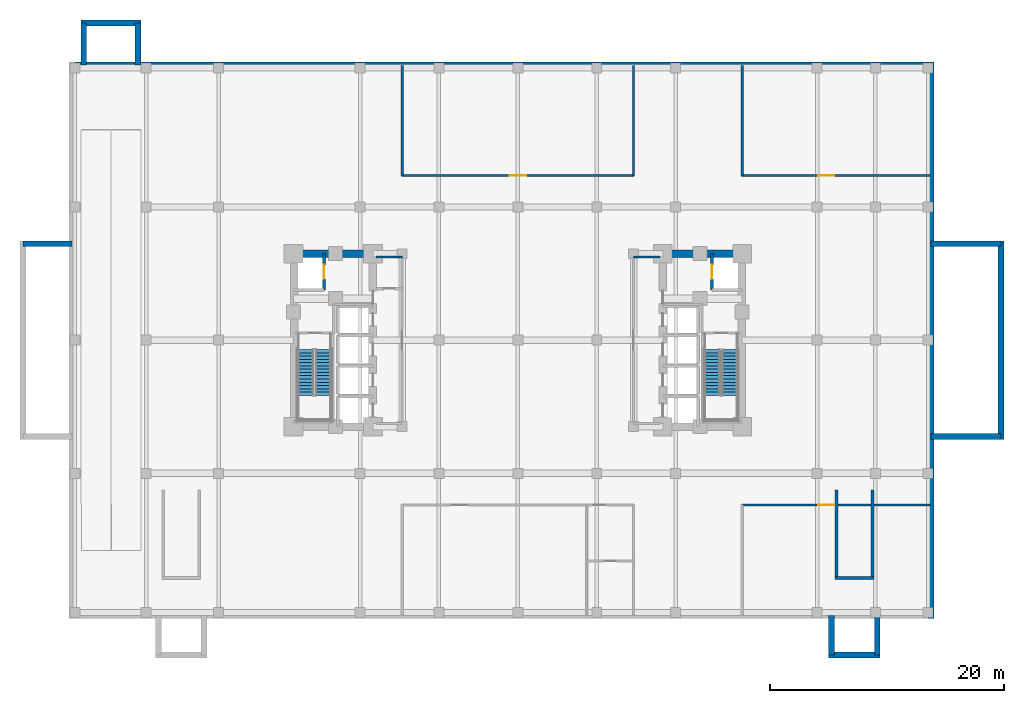
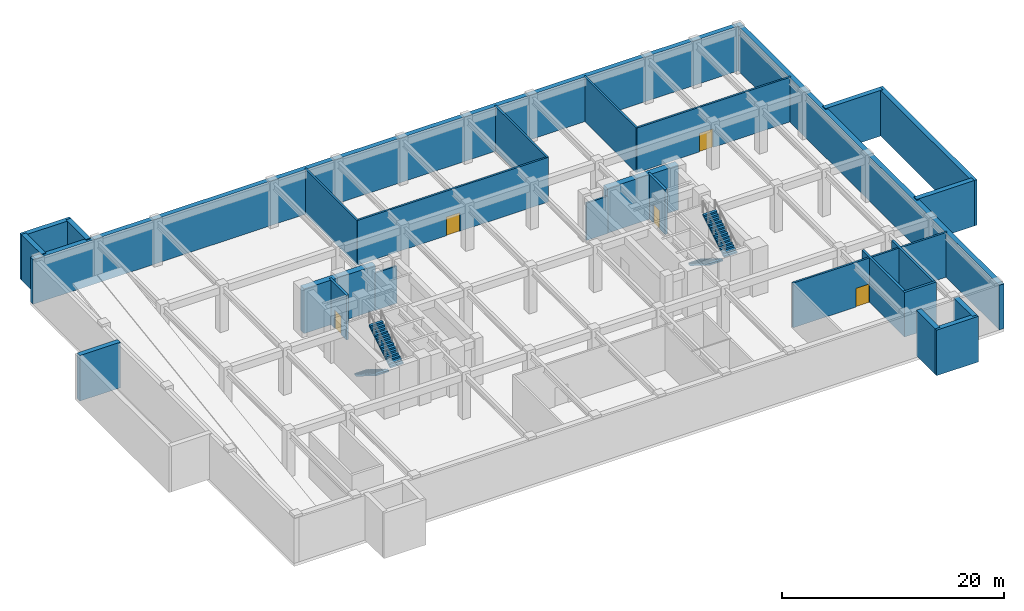
# One storey, part 5 of 7: 27 walls, 5 doors, 4 stair flights, 5 openings, 2 elements without a shape of their own.
"""IFC4 building model written with IfcOpenShell, lengths in metres."""

from ifc_helpers import new_model, si_unit, direction, frame, frame_2d, origin, place, context, subcontext, project, spatial, polyline, rectangle, outline, extrude, material, layer, layer_set, type_object, element, fill, aggregate, save


model = new_model("IFC4")

# Units and contexts
model_context = context("Model", 3, precision=1e-05, world=origin(), true_north=direction((0.0, 1.0)))
body_context = subcontext(model_context, "Body", "Model", "MODEL_VIEW")
ifc_project = project(units=[si_unit("LENGTHUNIT", "METRE"), si_unit("AREAUNIT", "SQUARE_METRE"), si_unit("VOLUMEUNIT", "CUBIC_METRE"), si_unit("PLANEANGLEUNIT", "RADIAN"), si_unit("MASSUNIT", "GRAM", prefix="KILO")], contexts=[model_context])

# Site, building, storey
site_placement = place(None, origin())
site = spatial("IfcSite", under=ifc_project, at=site_placement, CompositionType="ELEMENT")
building_placement = place(site_placement, origin())
building = spatial("IfcBuilding", under=site, at=building_placement, Name="Voryun Gate Residences", CompositionType="ELEMENT")
storey_placement = place(building_placement, frame((0.0, 0.0, -5.199951171875)))
storey = spatial("IfcBuildingStorey", under=building, at=storey_placement, Name="B01", CompositionType="ELEMENT", Elevation=-5.199951171875)

# Walls
ifc_material_1 = material(Name="Concrete C50/60", Category="concrete")
ifc_layer_1 = layer(ifc_material_1, 0.5, Name="CW_BSMT_RET_500")
ifc_layer_set_1 = layer_set([ifc_layer_1], Name="Concrete C50/60")
wall_type_1 = type_object("IfcWallType", Name="CW_BSMT_RET_500", PredefinedType="USERDEFINED", material=ifc_layer_set_1)
for number, where, z_axis, x_axis, name in (
    (1, (-37.14990234375, 23.550048828125, 0.0), (0.0, 0.0, 1.0), (0.0, 1.0, 0.0), "B01 Apron Foundation Wall SLB-PAV-VEH-APRON-L"),
    (2, (-32.5, 23.550048828125, 0.0), (0.0, 0.0, 1.0), (0.0, 1.0, 0.0), "B01 Apron Foundation Wall SLB-PAV-VEH-APRON-R"),
):
    element("IfcWall", number, at=place(storey_placement, frame(where, z_axis=z_axis, x_axis=x_axis)), inside=storey, type_object=wall_type_1, Name=name, ObjectType="RETAININGWALL", PredefinedType="USERDEFINED", context=body_context, shape_type="SweptSolid", body=[
        extrude(rectangle(XDim=3.599853515625, YDim=0.5, at=frame_2d((1.7998046875, 0.0))), origin(), (0.0, 0.0, 1.0), 5.02001953125),
    ])
wall_1_placement = place(storey_placement, frame((-37.39990234375, 27.14990234375, 0.0), z_axis=(0.0, 0.0, 1.0), x_axis=(1.0, 0.0, 0.0)))
element("IfcWall", 3, at=wall_1_placement, inside=storey, type_object=wall_type_1, Name="B01 Apron Foundation Wall SLB-PAV-VEH-APRON-O", ObjectType="RETAININGWALL", PredefinedType="USERDEFINED", context=body_context, shape_type="SweptSolid", body=[
    extrude(rectangle(XDim=5.14990234375, YDim=0.5, at=frame_2d((2.574951171875, 0.0))), origin(), (0.0, 0.0, 1.0), 5.02001953125),
])
for number, where, z_axis, x_axis, name in (
    (4, (26.85009765625, -26.949951171875, 0.0), (0.0, 0.0, 1.0), (0.0, 1.0, 0.0), "B01 Apron Foundation Wall SLB-PAV-EXIT-P2-L"),
    (5, (30.75, -26.949951171875, 0.0), (0.0, 0.0, 1.0), (0.0, 1.0, 0.0), "B01 Apron Foundation Wall SLB-PAV-EXIT-P2-R"),
):
    element("IfcWall", number, at=place(storey_placement, frame(where, z_axis=z_axis, x_axis=x_axis)), inside=storey, type_object=wall_type_1, Name=name, ObjectType="RETAININGWALL", PredefinedType="USERDEFINED", context=body_context, shape_type="SweptSolid", body=[
        extrude(rectangle(XDim=3.39990234375, YDim=0.5, at=frame_2d((1.699951171875, 0.0))), origin(), (0.0, 0.0, 1.0), 5.02001953125),
    ])
wall_2_placement = place(storey_placement, frame((26.60009765625, -26.949951171875, 0.0), z_axis=(0.0, 0.0, 1.0), x_axis=(1.0, 0.0, 0.0)))
element("IfcWall", 6, at=wall_2_placement, inside=storey, type_object=wall_type_1, Name="B01 Apron Foundation Wall SLB-PAV-EXIT-P2-O", ObjectType="RETAININGWALL", PredefinedType="USERDEFINED", context=body_context, shape_type="SweptSolid", body=[
    extrude(rectangle(XDim=4.39990234375, YDim=0.5, at=frame_2d((2.199951171875, 0.0))), origin(), (0.0, 0.0, 1.0), 5.02001953125),
])
wall_3_placement = place(storey_placement, frame((-42.35009765625, 8.25, 0.0), z_axis=(0.0, 0.0, 1.0), x_axis=(1.0, 0.0, 0.0)))
element("IfcWall", 7, at=wall_3_placement, inside=storey, type_object=wall_type_1, Name="B01 Plaza Foundation Wall SLB-PAV-WEST-PLAZA-N", ObjectType="RETAININGWALL", PredefinedType="USERDEFINED", context=body_context, shape_type="SweptSolid", body=[
    extrude(rectangle(XDim=4.2001953125, YDim=0.5, at=frame_2d((2.10009765625, 0.0))), origin(), (0.0, 0.0, 1.0), 5.02001953125),
])
for number, where, z_axis, x_axis, name in (
    (8, (35.35009765625, -8.25, 0.0), (0.0, 0.0, 1.0), (1.0, 0.0, 0.0), "B01 Plaza Foundation Wall SLB-PAV-EAST-PLAZA-S"),
    (9, (35.35009765625, 8.25, 0.0), (0.0, 0.0, 1.0), (1.0, 0.0, 0.0), "B01 Plaza Foundation Wall SLB-PAV-EAST-PLAZA-N"),
):
    element("IfcWall", number, at=place(storey_placement, frame(where, z_axis=z_axis, x_axis=x_axis)), inside=storey, type_object=wall_type_1, Name=name, ObjectType="RETAININGWALL", PredefinedType="USERDEFINED", context=body_context, shape_type="SweptSolid", body=[
        extrude(rectangle(XDim=6.0, YDim=0.5, at=frame_2d((3.0, 0.0))), origin(), (0.0, 0.0, 1.0), 5.02001953125),
    ])
wall_4_placement = place(storey_placement, frame((41.35009765625, -8.5, 0.0), z_axis=(0.0, 0.0, 1.0), x_axis=(0.0, 1.0, 0.0)))
element("IfcWall", 10, at=wall_4_placement, inside=storey, type_object=wall_type_1, Name="B01 Plaza Foundation Wall SLB-PAV-EAST-PLAZA-O", ObjectType="RETAININGWALL", PredefinedType="USERDEFINED", context=body_context, shape_type="SweptSolid", body=[
    extrude(rectangle(XDim=17.0, YDim=0.5, at=frame_2d((8.5, 0.0))), origin(), (0.0, 0.0, 1.0), 5.02001953125),
])
wall_5_placement = place(storey_placement, frame((-38.39990234375, 23.550048828125, 0.0), z_axis=(0.0, 0.0, 1.0), x_axis=(1.0, 0.0, 0.0)))
element("IfcWall", 11, at=wall_5_placement, inside=storey, type_object=wall_type_1, Name="B01 Perimeter Basement Retaining Wall WRET-B01-N", ObjectType="RETAININGWALL", PredefinedType="USERDEFINED", context=body_context, shape_type="SweptSolid", body=[
    extrude(rectangle(XDim=74.0, YDim=0.5, at=frame_2d((37.0, 0.0))), origin(), (0.0, 0.0, 1.0), 4.919921875),
])
wall_6_placement = place(storey_placement, frame((35.35009765625, -23.800048828125, 0.0), z_axis=(0.0, 0.0, 1.0), x_axis=(0.0, 1.0, 0.0)))
element("IfcWall", 12, at=wall_6_placement, inside=storey, type_object=wall_type_1, Name="B01 Perimeter Basement Retaining Wall WRET-B01-E", ObjectType="RETAININGWALL", PredefinedType="USERDEFINED", context=body_context, shape_type="SweptSolid", body=[
    extrude(rectangle(XDim=47.60009765625, YDim=0.5, at=frame_2d((23.800048828125, 0.0))), origin(), (0.0, 0.0, 1.0), 4.919921875),
])
ifc_material_2 = material(Name="Concrete C60/75", Category="concrete")
ifc_layer_2 = layer(ifc_material_2, 0.64990234375, Name="CW_CORE_650")
ifc_layer_set_2 = layer_set([ifc_layer_2], Name="Concrete C60/75")
wall_type_2 = type_object("IfcWallType", Name="CW_CORE_650", PredefinedType="SHEAR", material=ifc_layer_set_2)
for number, where, z_axis, x_axis, name in (
    (13, (-19.52490234375, 7.39990234375, 0.0), (0.0, 0.0, 1.0), (1.0, 0.0, 0.0), "B01 Core shear wall CW-B01-WN"),
    (14, (12.074951171875, 7.39990234375, 0.0), (0.0, 0.0, 1.0), (1.0, 0.0, 0.0), "B01 Core shear wall CW-B01-EN"),
):
    element("IfcWall", number, at=place(storey_placement, frame(where, z_axis=z_axis, x_axis=x_axis)), inside=storey, type_object=wall_type_2, Name=name, PredefinedType="SHEAR", context=body_context, shape_type="SweptSolid", body=[
        extrude(rectangle(XDim=7.449951171875, YDim=0.64990234375, at=frame_2d((3.72509765625, 0.0))), origin(), (0.0, 0.0, 1.0), 4.919921875),
    ])
ifc_material_3 = material(Name="Gypsum acoustic fireboard")
ifc_layer_3 = layer(ifc_material_3, 0.179931640625, Name="W_CORR_RATED_180")
ifc_layer_set_3 = layer_set([ifc_layer_3], Name="Gypsum acoustic fireboard")
wall_type_3 = type_object("IfcWallType", Name="W_CORR_RATED_180", PredefinedType="PARTITIONING", material=ifc_layer_set_3)
for number, where, z_axis, x_axis, name in (
    (15, (-12.14990234375, 7.1201171875, 0.0), (0.0, 0.0, 1.0), (1.0, 0.0, 0.0), "Partition wall WP-B01-PLBN-W"),
    (16, (9.8798828125, 7.1201171875, 0.0), (0.0, 0.0, 1.0), (1.0, 0.0, 0.0), "Partition wall WP-B01-PLBN-E"),
):
    element("IfcWall", number, at=place(storey_placement, frame(where, z_axis=z_axis, x_axis=x_axis)), inside=storey, type_object=wall_type_3, Name=name, PredefinedType="PARTITIONING", context=body_context, shape_type="SweptSolid", body=[
        extrude(rectangle(XDim=2.27001953125, YDim=0.179931640625, at=frame_2d((1.135009765625, 0.0))), origin(), (0.0, 0.0, 1.0), 4.10986328125),
    ])
ifc_material_4 = material(Name="Concrete C40/50", Category="concrete")
ifc_layer_4 = layer(ifc_material_4, 0.199951171875, Name="W_FF_LOBBY_200")
ifc_layer_set_4 = layer_set([ifc_layer_4], Name="Concrete C40/50")
wall_type_4 = type_object("IfcWallType", Name="W_FF_LOBBY_200", PredefinedType="PARTITIONING", material=ifc_layer_set_4)
for number, where, z_axis, x_axis, name in (
    (17, (-9.89990234375, 14.050048828125, 0.0), (0.0, 0.0, 1.0), (0.0, 1.0, 0.0), "Partition wall WP-B01-PLW-N"),
    (18, (9.89990234375, 14.050048828125, 0.0), (0.0, 0.0, 1.0), (0.0, 1.0, 0.0), "Partition wall WP-B01-PLE-N"),
    (19, (19.199951171875, 14.050048828125, 0.0), (0.0, 0.0, 1.0), (0.0, 1.0, 0.0), "Partition wall WP-B01-PLE2-N"),
):
    element("IfcWall", number, at=place(storey_placement, frame(where, z_axis=z_axis, x_axis=x_axis)), inside=storey, type_object=wall_type_4, Name=name, PredefinedType="PARTITIONING", context=body_context, shape_type="SweptSolid", body=[
        extrude(rectangle(XDim=9.449951171875, YDim=0.199951171875, at=frame_2d((4.72509765625, 0.0))), origin(), (0.0, 0.0, 1.0), 4.919921875),
    ])

# Wall, opening, door
wall_7_placement = place(storey_placement, frame((-9.949951171875, 14.10009765625, 0.0), z_axis=(0.0, 0.0, 1.0), x_axis=(1.0, 0.0, 0.0)))
wall_7 = element("IfcWall", 20, at=wall_7_placement, inside=storey, type_object=wall_type_4, Name="Partition wall WP-B01-PLNT-NC", PredefinedType="PARTITIONING", context=body_context, shape_type="SweptSolid", body=[
    extrude(rectangle(XDim=19.89990234375, YDim=0.199951171875, at=frame_2d((9.949951171875, 0.0))), origin(), (0.0, 0.0, 1.0), 4.919921875),
])
opening_1_placement = place(wall_7_placement, frame((9.25, 0.0, 0.0)))
opening_1 = element("IfcOpeningElement", 21, at=opening_1_placement, cuts=wall_7, Name="Opening D-FD60-3", PredefinedType="OPENING", context=body_context, shape_type="SweptSolid", body=[
    extrude(rectangle(XDim=1.39990234375, YDim=2.050048828125, at=frame_2d((0.699951171875, 1.02490234375))), frame((0.0, 0.110107421875, 0.0), z_axis=(0.0, -1.0, 0.0), x_axis=(1.0, 0.0, 0.0)), (0.0, 0.0, 1.0), 0.219970703125),
])
ifc_material_5 = material(Name="Painted steel fire door", Category="steel")
door_type_1 = type_object("IfcDoorType", Name="DR_FD60_PLANT_1400", OperationType="NOTDEFINED", PredefinedType="DOOR", material=ifc_material_5)
door_1_placement = place(opening_1_placement, origin())
door_1 = element("IfcDoor", 22, at=door_1_placement, inside=storey, type_object=door_type_1, Name="Door DR-B01-PL1-N", OperationType="DOUBLE_DOOR_SINGLE_SWING", OverallHeight=2.050048828125, OverallWidth=1.39990234375, PredefinedType="DOOR", context=body_context, shape_type="SweptSolid", body=[
    extrude(rectangle(XDim=1.39990234375, YDim=2.050048828125, at=frame_2d((0.699951171875, 1.02490234375))), frame((0.0, 0.02490234375, 0.0), z_axis=(0.0, -1.0, 0.0), x_axis=(1.0, 0.0, 0.0)), (0.0, 0.0, 1.0), 0.050048828125),
])
fill(opening_1, door_1)

wall_8_placement = place(storey_placement, frame((19.14990234375, -14.10009765625, 0.0), z_axis=(0.0, 0.0, 1.0), x_axis=(1.0, 0.0, 0.0)))
wall_8 = element("IfcWall", 23, at=wall_8_placement, inside=storey, type_object=wall_type_4, Name="Partition wall WP-B01-PLNT-SE", PredefinedType="PARTITIONING", context=body_context, shape_type="SweptSolid", body=[
    extrude(rectangle(XDim=16.10009765625, YDim=0.199951171875, at=frame_2d((8.050048828125, 0.0))), origin(), (0.0, 0.0, 1.0), 4.919921875),
])
opening_2_placement = place(wall_8_placement, frame((6.544921875, 0.0, 0.0)))
opening_2 = element("IfcOpeningElement", 24, at=opening_2_placement, cuts=wall_8, Name="Opening D-FD60-3", PredefinedType="OPENING", context=body_context, shape_type="SweptSolid", body=[
    extrude(rectangle(XDim=1.39990234375, YDim=2.050048828125, at=frame_2d((0.699951171875, 1.02490234375))), frame((0.0, 0.110107421875, 0.0), z_axis=(0.0, -1.0, 0.0), x_axis=(1.0, 0.0, 0.0)), (0.0, 0.0, 1.0), 0.219970703125),
])
door_2_placement = place(opening_2_placement, origin())
door_2 = element("IfcDoor", 25, at=door_2_placement, inside=storey, type_object=door_type_1, Name="Door DR-B01-PL3-S", OperationType="DOUBLE_DOOR_SINGLE_SWING", OverallHeight=2.050048828125, OverallWidth=1.39990234375, PredefinedType="DOOR", context=body_context, shape_type="SweptSolid", body=[
    extrude(rectangle(XDim=1.39990234375, YDim=2.050048828125, at=frame_2d((0.699951171875, 1.02490234375))), frame((0.0, 0.02490234375, 0.0), z_axis=(0.0, -1.0, 0.0), x_axis=(1.0, 0.0, 0.0)), (0.0, 0.0, 1.0), 0.050048828125),
])
fill(opening_2, door_2)

wall_9_placement = place(storey_placement, frame((19.14990234375, 14.10009765625, 0.0), z_axis=(0.0, 0.0, 1.0), x_axis=(1.0, 0.0, 0.0)))
wall_9 = element("IfcWall", 26, at=wall_9_placement, inside=storey, type_object=wall_type_4, Name="Partition wall WP-B01-PLNT-NE", PredefinedType="PARTITIONING", context=body_context, shape_type="SweptSolid", body=[
    extrude(rectangle(XDim=16.10009765625, YDim=0.199951171875, at=frame_2d((8.050048828125, 0.0))), origin(), (0.0, 0.0, 1.0), 4.919921875),
])
opening_3_placement = place(wall_9_placement, frame((6.544921875, 0.0, 0.0)))
opening_3 = element("IfcOpeningElement", 27, at=opening_3_placement, cuts=wall_9, Name="Opening D-FD60-3", PredefinedType="OPENING", context=body_context, shape_type="SweptSolid", body=[
    extrude(rectangle(XDim=1.39990234375, YDim=2.050048828125, at=frame_2d((0.699951171875, 1.02490234375))), frame((0.0, 0.110107421875, 0.0), z_axis=(0.0, -1.0, 0.0), x_axis=(1.0, 0.0, 0.0)), (0.0, 0.0, 1.0), 0.219970703125),
])
door_3_placement = place(opening_3_placement, origin())
door_3 = element("IfcDoor", 28, at=door_3_placement, inside=storey, type_object=door_type_1, Name="Door DR-B01-PL3-N", OperationType="DOUBLE_DOOR_SINGLE_SWING", OverallHeight=2.050048828125, OverallWidth=1.39990234375, PredefinedType="DOOR", context=body_context, shape_type="SweptSolid", body=[
    extrude(rectangle(XDim=1.39990234375, YDim=2.050048828125, at=frame_2d((0.699951171875, 1.02490234375))), frame((0.0, 0.02490234375, 0.0), z_axis=(0.0, -1.0, 0.0), x_axis=(1.0, 0.0, 0.0)), (0.0, 0.0, 1.0), 0.050048828125),
])
fill(opening_3, door_3)

# Walls
ifc_material_6 = material(Name="Concrete C50/60", Category="concrete")
ifc_layer_5 = layer(ifc_material_6, 0.25, Name="W_SHAFT_RC250")
ifc_layer_set_5 = layer_set([ifc_layer_5], Name="Concrete C50/60")
wall_type_5 = type_object("IfcWallType", Name="W_SHAFT_RC250", PredefinedType="SOLIDWALL", material=ifc_layer_set_5)
for number, where, z_axis, x_axis, name in (
    (29, (27.260009765625, -20.485107421875, 0.0), (0.0, 0.0, 1.0), (0.0, 1.0, 0.0), "B01 Podium stair structural wall STP2-W"),
    (30, (30.340087890625, -20.485107421875, 0.0), (0.0, 0.0, 1.0), (0.0, 1.0, 0.0), "B01 Podium stair structural wall STP2-E"),
):
    element("IfcWall", number, at=place(storey_placement, frame(where, z_axis=z_axis, x_axis=x_axis)), inside=storey, type_object=wall_type_5, Name=name, PredefinedType="SOLIDWALL", context=body_context, shape_type="SweptSolid", body=[
        extrude(rectangle(XDim=7.68505859375, YDim=0.25, at=frame_2d((3.842529296875, 0.0))), origin(), (0.0, 0.0, 1.0), 4.919921875),
    ])
wall_10_placement = place(storey_placement, frame((27.139892578125, -20.364990234375, 0.0), z_axis=(0.0, 0.0, 1.0), x_axis=(1.0, 0.0, 0.0)))
element("IfcWall", 31, at=wall_10_placement, inside=storey, type_object=wall_type_5, Name="B01 Podium stair structural wall STP2-S", PredefinedType="SOLIDWALL", context=body_context, shape_type="SweptSolid", body=[
    extrude(rectangle(XDim=3.320068359375, YDim=0.25, at=frame_2d((1.66015625, 0.0))), origin(), (0.0, 0.0, 1.0), 4.919921875),
])

# Wall, opening, door
wall_11_placement = place(storey_placement, frame((-16.60009765625, 4.300048828125, 0.0), z_axis=(0.0, 0.0, 1.0), x_axis=(0.0, 1.0, 0.0)))
wall_11 = element("IfcWall", 32, at=wall_11_placement, inside=storey, type_object=wall_type_5, Name="Lift shaft wall WSH-B01-EL-FF-W1-E", PredefinedType="SOLIDWALL", context=body_context, shape_type="SweptSolid", body=[
    extrude(rectangle(XDim=3.099853515625, YDim=0.25, at=frame_2d((1.5498046875, 0.0))), origin(), (0.0, 0.0, 1.0), 4.919921875),
])
opening_4_placement = place(wall_11_placement, frame((0.949951171875, 0.0, 0.0)))
opening_4 = element("IfcOpeningElement", 33, at=opening_4_placement, cuts=wall_11, Name="Opening LD1", PredefinedType="OPENING", context=body_context, shape_type="SweptSolid", body=[
    extrude(rectangle(XDim=1.199951171875, YDim=2.050048828125, at=frame_2d((0.60009765625, 1.02490234375))), frame((0.0, 0.135009765625, 0.0), z_axis=(0.0, -1.0, 0.0), x_axis=(1.0, 0.0, 0.0)), (0.0, 0.0, 1.0), 0.27001953125),
])
ifc_material_7 = material(Name="Anodised aluminium", Category="aluminium")
door_type_2 = type_object("IfcDoorType", Name="DR_LD_FF_1200", OperationType="NOTDEFINED", PredefinedType="DOOR", material=ifc_material_7)
door_4_placement = place(opening_4_placement, origin())
door_4 = element("IfcDoor", 34, at=door_4_placement, inside=storey, type_object=door_type_2, Name="Lift EL-FF-W1 sliding landing door B01", OperationType="SLIDING_TO_LEFT", OverallHeight=2.050048828125, OverallWidth=1.199951171875, PredefinedType="DOOR", context=body_context, shape_type="SweptSolid", body=[
    extrude(rectangle(XDim=1.199951171875, YDim=2.050048828125, at=frame_2d((0.60009765625, 1.02490234375))), frame((0.0, 0.02490234375, 0.0), z_axis=(0.0, -1.0, 0.0), x_axis=(1.0, 0.0, 0.0)), (0.0, 0.0, 1.0), 0.050048828125),
])
fill(opening_4, door_4)

wall_12_placement = place(storey_placement, frame((16.60009765625, 7.39990234375, 0.0), z_axis=(0.0, 0.0, 1.0), x_axis=(0.0, -1.0, 0.0)))
wall_12 = element("IfcWall", 35, at=wall_12_placement, inside=storey, type_object=wall_type_5, Name="Lift shaft wall WSH-B01-EL-FF-E1-W", PredefinedType="SOLIDWALL", context=body_context, shape_type="SweptSolid", body=[
    extrude(rectangle(XDim=3.099853515625, YDim=0.25, at=frame_2d((1.5498046875, 0.0))), origin(), (0.0, 0.0, 1.0), 4.919921875),
])
opening_5_placement = place(wall_12_placement, frame((0.949951171875, 0.0, 0.0)))
opening_5 = element("IfcOpeningElement", 36, at=opening_5_placement, cuts=wall_12, Name="Opening LD1", PredefinedType="OPENING", context=body_context, shape_type="SweptSolid", body=[
    extrude(rectangle(XDim=1.199951171875, YDim=2.050048828125, at=frame_2d((0.60009765625, 1.02490234375))), frame((0.0, 0.135009765625, 0.0), z_axis=(0.0, -1.0, 0.0), x_axis=(1.0, 0.0, 0.0)), (0.0, 0.0, 1.0), 0.27001953125),
])
door_5_placement = place(opening_5_placement, origin())
door_5 = element("IfcDoor", 37, at=door_5_placement, inside=storey, type_object=door_type_2, Name="Lift EL-FF-E1 sliding landing door B01", OperationType="SLIDING_TO_LEFT", OverallHeight=2.050048828125, OverallWidth=1.199951171875, PredefinedType="DOOR", context=body_context, shape_type="SweptSolid", body=[
    extrude(rectangle(XDim=1.199951171875, YDim=2.050048828125, at=frame_2d((0.60009765625, 1.02490234375))), frame((0.0, 0.02490234375, 0.0), z_axis=(0.0, -1.0, 0.0), x_axis=(1.0, 0.0, 0.0)), (0.0, 0.0, 1.0), 0.050048828125),
])
fill(opening_5, door_5)

# Stair, stair flights
ifc_material_8 = material(Name="Concrete C40/50", Category="concrete")
stair_type = type_object("IfcStairType", Name="STR_CORE_DOGLEG_1350", PredefinedType="HALF_TURN_STAIR", material=ifc_material_8)
stair_1_placement = place(storey_placement, origin())
stair_1 = element("IfcStair", 38, at=stair_1_placement, inside=storey, type_object=stair_type, Name="B01 Special Escape Stair ST-W1", PredefinedType="HALF_TURN_STAIR")
ifc_material_9 = material(Name="Concrete C40/50", Category="concrete")
stair_flight_type = type_object("IfcStairFlightType", Name="FLT_CORE_1350", PredefinedType="STRAIGHT", material=ifc_material_9)
stair_flight_1_placement = place(storey_placement, frame((-18.14990234375, -0.800048828125, 0.0), z_axis=(0.0, 0.0, 1.0), x_axis=(0.0, -1.0, 0.0)))
stair_flight_1 = element("IfcStairFlight", 39, at=stair_flight_1_placement, type_object=stair_flight_type, Name="ST-W1 flight 1", NumberOfRisers=15, NumberOfTreads=14, PredefinedType="STRAIGHT", RiserHeight=0.173333333, TreadLength=0.28, context=body_context, shape_type="SweptSolid", body=[
    extrude(outline(polyline([(0.0, 0.0), (0.0, 0.17333984375), (0.280029296875, 0.17333984375), (0.280029296875, 0.3466796875), (0.56005859375, 0.3466796875), (0.56005859375, 0.52001953125), (0.840087890625, 0.52001953125), (0.840087890625, 0.693359375), (1.1201171875, 0.693359375), (1.1201171875, 0.86669921875), (1.39990234375, 0.86669921875), (1.39990234375, 1.0400390625), (1.679931640625, 1.0400390625), (1.679931640625, 1.21337890625), (1.9599609375, 1.21337890625), (1.9599609375, 1.38671875), (2.239990234375, 1.38671875), (2.239990234375, 1.56005859375), (2.52001953125, 1.56005859375), (2.52001953125, 1.7333984375), (2.800048828125, 1.7333984375), (2.800048828125, 1.90673828125), (3.080078125, 1.90673828125), (3.080078125, 2.080078125), (3.360107421875, 2.080078125), (3.360107421875, 2.25341796875), (3.639892578125, 2.25341796875), (3.639892578125, 2.4267578125), (3.919921875, 2.4267578125), (3.919921875, 2.60009765625), (3.919921875, 2.250244140625), (0.284912109375, 0.0), (0.0, 0.0)])), frame((0.0, 0.675048828125, 0.0), z_axis=(0.0, -1.0, 0.0), x_axis=(1.0, 0.0, 0.0)), (0.0, 0.0, 1.0), 1.35009765625),
])
stair_flight_2_placement = place(storey_placement, frame((-16.64990234375, -4.719970703125, 2.599853515625), z_axis=(0.0, 0.0, 1.0), x_axis=(0.0, 1.0, 0.0)))
stair_flight_2 = element("IfcStairFlight", 40, at=stair_flight_2_placement, type_object=stair_flight_type, Name="ST-W1 flight 2", NumberOfRisers=15, NumberOfTreads=14, PredefinedType="STRAIGHT", RiserHeight=0.173333333, TreadLength=0.28, context=body_context, shape_type="SweptSolid", body=[
    extrude(outline(polyline([(0.0, 0.0), (0.0, 0.17333984375), (0.280029296875, 0.17333984375), (0.280029296875, 0.3466796875), (0.56005859375, 0.3466796875), (0.56005859375, 0.52001953125), (0.840087890625, 0.52001953125), (0.840087890625, 0.693359375), (1.1201171875, 0.693359375), (1.1201171875, 0.86669921875), (1.39990234375, 0.86669921875), (1.39990234375, 1.0400390625), (1.679931640625, 1.0400390625), (1.679931640625, 1.21337890625), (1.9599609375, 1.21337890625), (1.9599609375, 1.38671875), (2.239990234375, 1.38671875), (2.239990234375, 1.56005859375), (2.52001953125, 1.56005859375), (2.52001953125, 1.7333984375), (2.800048828125, 1.7333984375), (2.800048828125, 1.90673828125), (3.080078125, 1.90673828125), (3.080078125, 2.080078125), (3.360107421875, 2.080078125), (3.360107421875, 2.25341796875), (3.639892578125, 2.25341796875), (3.639892578125, 2.4267578125), (3.919921875, 2.4267578125), (3.919921875, 2.60009765625), (3.919921875, 2.250244140625), (0.284912109375, 0.0), (0.0, 0.0)])), frame((0.0, 0.675048828125, 0.0), z_axis=(0.0, -1.0, 0.0), x_axis=(1.0, 0.0, 0.0)), (0.0, 0.0, 1.0), 1.35009765625),
])
aggregate(stair_1, [stair_flight_1, stair_flight_2])

stair_2_placement = place(storey_placement, origin())
stair_2 = element("IfcStair", 41, at=stair_2_placement, inside=storey, type_object=stair_type, Name="B01 Special Escape Stair ST-E1", PredefinedType="HALF_TURN_STAIR")
stair_flight_3_placement = place(storey_placement, frame((16.64990234375, -0.800048828125, 0.0), z_axis=(0.0, 0.0, 1.0), x_axis=(0.0, -1.0, 0.0)))
stair_flight_3 = element("IfcStairFlight", 42, at=stair_flight_3_placement, type_object=stair_flight_type, Name="ST-E1 flight 1", NumberOfRisers=15, NumberOfTreads=14, PredefinedType="STRAIGHT", RiserHeight=0.173333333, TreadLength=0.28, context=body_context, shape_type="SweptSolid", body=[
    extrude(outline(polyline([(0.0, 0.0), (0.0, 0.17333984375), (0.280029296875, 0.17333984375), (0.280029296875, 0.3466796875), (0.56005859375, 0.3466796875), (0.56005859375, 0.52001953125), (0.840087890625, 0.52001953125), (0.840087890625, 0.693359375), (1.1201171875, 0.693359375), (1.1201171875, 0.86669921875), (1.39990234375, 0.86669921875), (1.39990234375, 1.0400390625), (1.679931640625, 1.0400390625), (1.679931640625, 1.21337890625), (1.9599609375, 1.21337890625), (1.9599609375, 1.38671875), (2.239990234375, 1.38671875), (2.239990234375, 1.56005859375), (2.52001953125, 1.56005859375), (2.52001953125, 1.7333984375), (2.800048828125, 1.7333984375), (2.800048828125, 1.90673828125), (3.080078125, 1.90673828125), (3.080078125, 2.080078125), (3.360107421875, 2.080078125), (3.360107421875, 2.25341796875), (3.639892578125, 2.25341796875), (3.639892578125, 2.4267578125), (3.919921875, 2.4267578125), (3.919921875, 2.60009765625), (3.919921875, 2.250244140625), (0.284912109375, 0.0), (0.0, 0.0)])), frame((0.0, 0.675048828125, 0.0), z_axis=(0.0, -1.0, 0.0), x_axis=(1.0, 0.0, 0.0)), (0.0, 0.0, 1.0), 1.35009765625),
])
stair_flight_4_placement = place(storey_placement, frame((18.14990234375, -4.719970703125, 2.599853515625), z_axis=(0.0, 0.0, 1.0), x_axis=(0.0, 1.0, 0.0)))
stair_flight_4 = element("IfcStairFlight", 43, at=stair_flight_4_placement, type_object=stair_flight_type, Name="ST-E1 flight 2", NumberOfRisers=15, NumberOfTreads=14, PredefinedType="STRAIGHT", RiserHeight=0.173333333, TreadLength=0.28, context=body_context, shape_type="SweptSolid", body=[
    extrude(outline(polyline([(0.0, 0.0), (0.0, 0.17333984375), (0.280029296875, 0.17333984375), (0.280029296875, 0.3466796875), (0.56005859375, 0.3466796875), (0.56005859375, 0.52001953125), (0.840087890625, 0.52001953125), (0.840087890625, 0.693359375), (1.1201171875, 0.693359375), (1.1201171875, 0.86669921875), (1.39990234375, 0.86669921875), (1.39990234375, 1.0400390625), (1.679931640625, 1.0400390625), (1.679931640625, 1.21337890625), (1.9599609375, 1.21337890625), (1.9599609375, 1.38671875), (2.239990234375, 1.38671875), (2.239990234375, 1.56005859375), (2.52001953125, 1.56005859375), (2.52001953125, 1.7333984375), (2.800048828125, 1.7333984375), (2.800048828125, 1.90673828125), (3.080078125, 1.90673828125), (3.080078125, 2.080078125), (3.360107421875, 2.080078125), (3.360107421875, 2.25341796875), (3.639892578125, 2.25341796875), (3.639892578125, 2.4267578125), (3.919921875, 2.4267578125), (3.919921875, 2.60009765625), (3.919921875, 2.250244140625), (0.284912109375, 0.0), (0.0, 0.0)])), frame((0.0, 0.675048828125, 0.0), z_axis=(0.0, -1.0, 0.0), x_axis=(1.0, 0.0, 0.0)), (0.0, 0.0, 1.0), 1.35009765625),
])
aggregate(stair_2, [stair_flight_3, stair_flight_4])

save(model, "model.ifc")
